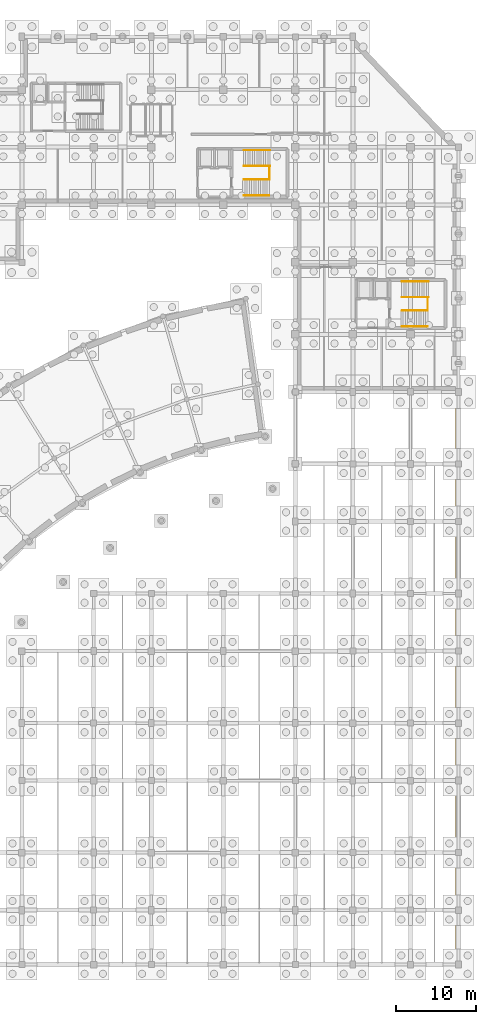
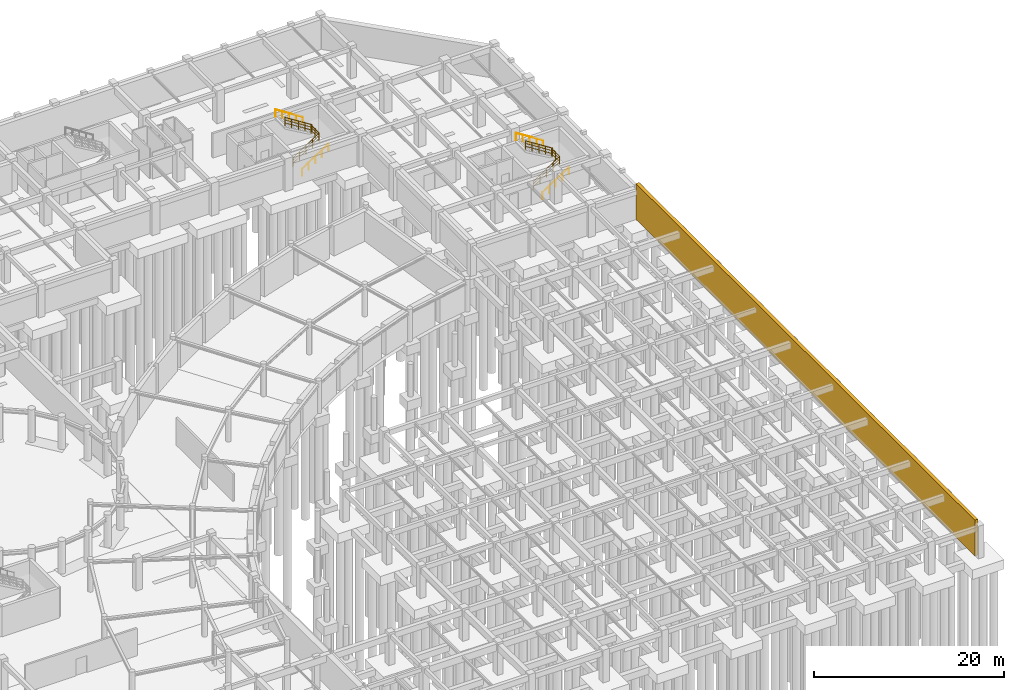
# One storey, part 41 of 42: 10 railings, 1 covering.
"""IFC4 building model written with IfcOpenShell, lengths in metres."""

import ifcopenshell
import ifcopenshell.guid

model = None  # the IFC model being written
_history = None  # IfcOwnerHistory: only IFC2X3 demands one
_inside = {}  # id of a spatial element -> (the spatial element, [elements in it])
_under = {}  # id of a project, library or spatial element -> (it, [spatial elements below it])
_declared = {}  # id of a project -> (the project, [libraries it declares])
_typed = {}  # id of a type object -> (the type object, [elements of that type])
_made_of = {}  # id of a material, layer set ... -> (it, [elements and type objects made of it])


def new_model(schema):
    """Start an empty IFC model of exactly this schema.

    Asked for "IFC4X3", IfcOpenShell would pick the latest addendum, in which some entities
    have other attributes; the version numbers below select the first issue.
    IFC2X3 requires an IfcOwnerHistory on every rooted entity: one is made here for all.
    """
    global model, _history
    if schema == "IFC4X3":
        model = ifcopenshell.file(schema_version=(4, 3, 0, 0))
    else:
        model = ifcopenshell.file(schema=schema)
    _inside.clear()
    _under.clear()
    _declared.clear()
    _typed.clear()
    _made_of.clear()
    _history = None
    if model.schema == "IFC2X3":
        org = make("IfcOrganization", Name="unknown")
        user = make(
            "IfcPersonAndOrganization",
            ThePerson=make("IfcPerson", FamilyName="unknown"),
            TheOrganization=org,
        )
        app = make(
            "IfcApplication",
            ApplicationDeveloper=org,
            Version="unknown",
            ApplicationFullName="unknown",
            ApplicationIdentifier="unknown",
        )
        _history = make(
            "IfcOwnerHistory",
            OwningUser=user,
            OwningApplication=app,
            ChangeAction="ADDED",
            CreationDate=0,
        )
    return model


def make(cls, **values):
    """One entity of the class cls with the attributes given. An attribute that is None is left unset."""
    return model.create_entity(
        cls, **{name: value for name, value in values.items() if value is not None}
    )


def rooted(cls, **values):
    """An entity with a GlobalId (a new one), such as an element, a storey or a relation."""
    return make(cls, GlobalId=ifcopenshell.guid.new(), OwnerHistory=_history, **values)


def si_unit(unit_type, name, prefix=None):
    """IfcSIUnit, for example si_unit("LENGTHUNIT", "METRE", prefix="MILLI")."""
    return make("IfcSIUnit", UnitType=unit_type, Prefix=prefix, Name=name)


def assignment(units):
    """IfcUnitAssignment: the units of a project."""
    return None if units is None else make("IfcUnitAssignment", Units=units)


def point(xyz):
    """IfcCartesianPoint."""
    return None if xyz is None else make("IfcCartesianPoint", Coordinates=xyz)


def direction(xyz):
    """IfcDirection."""
    return None if xyz is None else make("IfcDirection", DirectionRatios=xyz)


def frame(location, z_axis=None, x_axis=None):
    """IfcAxis2Placement3D, a coordinate frame: its origin and axes. An axis left out is left unset."""
    return make(
        "IfcAxis2Placement3D",
        Location=point(location),
        Axis=direction(z_axis),
        RefDirection=direction(x_axis),
    )


def frame_2d(location, x_axis=None):
    """IfcAxis2Placement2D, a coordinate frame in the plane: its origin and x axis."""
    return make(
        "IfcAxis2Placement2D", Location=point(location), RefDirection=direction(x_axis)
    )


def origin():
    """The frame at (0, 0, 0) with its axes left unset."""
    return frame((0.0, 0.0, 0.0))


def origin_2d():
    """The frame at (0, 0) in the plane with its x axis left unset."""
    return frame_2d((0.0, 0.0))


def place(relative_to, where):
    """IfcLocalPlacement: puts the frame where relative to a parent placement (None: the world)."""
    return make(
        "IfcLocalPlacement", PlacementRelTo=relative_to, RelativePlacement=where
    )


def context(
    kind, dimensions, precision=None, world=None, true_north=None, identifier=None
):
    """IfcGeometricRepresentationContext, for example the 3D "Model" context."""
    return make(
        "IfcGeometricRepresentationContext",
        ContextIdentifier=identifier,
        ContextType=kind,
        CoordinateSpaceDimension=dimensions,
        Precision=precision,
        WorldCoordinateSystem=world,
        TrueNorth=true_north,
    )


def subcontext(parent, identifier, kind, view, scale=None):
    """IfcGeometricRepresentationSubContext, for example "Body" below "Model"."""
    return make(
        "IfcGeometricRepresentationSubContext",
        ContextIdentifier=identifier,
        ContextType=kind,
        ParentContext=parent,
        TargetScale=scale,
        TargetView=view,
    )


def project(units=None, contexts=None):
    """IfcProject with its units and contexts."""
    return rooted(
        "IfcProject",
        Name="project",
        RepresentationContexts=contexts,
        UnitsInContext=assignment(units),
    )


def spatial(cls, under=None, at=None, **own):
    """A site, building, storey or space (cls), placed at a placement, below another one or the project."""
    s = rooted(cls, ObjectPlacement=at, **own)
    if under is not None:
        _under.setdefault(under.id(), (under, []))[1].append(s)
    return s


def profile(cls, at=None, kind="AREA", **sizes):
    """A parametric profile (cls). Its sizes go by their IFC names, for example OverallWidth=200.0."""
    return make(cls, ProfileType=kind, Position=at, **sizes)


def rectangle(**sizes):
    """IfcRectangleProfileDef."""
    return profile("IfcRectangleProfileDef", **sizes)


def circle(**sizes):
    """IfcCircleProfileDef."""
    return profile("IfcCircleProfileDef", **sizes)


def extrude(swept, where, along, depth):
    """IfcExtrudedAreaSolid: the profile swept, set in the frame where, extruded along a direction by depth."""
    return make(
        "IfcExtrudedAreaSolid",
        SweptArea=swept,
        Position=where,
        ExtrudedDirection=direction(along),
        Depth=depth,
    )


def shape(context_of_items, identifier, shape_type, items):
    """IfcShapeRepresentation: the items that make up one representation, for example the "Body"."""
    return make(
        "IfcShapeRepresentation",
        ContextOfItems=context_of_items,
        RepresentationIdentifier=identifier,
        RepresentationType=shape_type,
        Items=items,
    )


def material(Name=None, Category=None):
    """IfcMaterial."""
    return make("IfcMaterial", Name=Name, Category=Category)


def layer(
    of_material, thickness, ventilated=None, Name=None, Category=None, Priority=None
):
    """IfcMaterialLayer: one layer of a wall or slab, of a material (None: an air gap)."""
    return make(
        "IfcMaterialLayer",
        Material=of_material,
        LayerThickness=thickness,
        IsVentilated=ventilated,
        Name=Name,
        Category=Category,
        Priority=Priority,
    )


def layer_set(layers, Name=None):
    """IfcMaterialLayerSet."""
    return make("IfcMaterialLayerSet", MaterialLayers=layers, LayerSetName=Name)


def made_of(thing, what):
    """Note that an element or type object is made of a material, layer set ...; save() writes the relation."""
    if what is not None:
        _made_of.setdefault(what.id(), (what, []))[1].append(thing)
    return thing


def type_object(cls, material=None, **own):
    """A type object (cls), such as IfcWallType, which elements share."""
    return made_of(rooted(cls, **own), material)


def element(
    cls,
    number,
    at=None,
    inside=None,
    cuts=None,
    type_object=None,
    material=None,
    context=None,
    identifier="Body",
    shape_type=None,
    held_by="IfcProductDefinitionShape",
    body=None,
    shapes=None,
    **own,
):
    """One element of the class cls, such as IfcWall. Its Tag is "e" and its number.

    at: its placement. inside: the storey or other place that contains it. cuts: it is an
    opening in that element (IfcRelVoidsElement). A single representation is given by context,
    identifier, shape_type and body (its items); several are given by shapes. held_by: the class
    of the entity that holds the representations. save() writes the other relations.
    """
    e = rooted(cls, Tag="e%d" % number, ObjectPlacement=at, **own)
    if body is not None:
        shapes = [shape(context, identifier, shape_type, body)]
    if shapes is not None:
        e.Representation = make(held_by, Representations=shapes)
    if inside is not None:
        _inside.setdefault(inside.id(), (inside, []))[1].append(e)
    if cuts is not None:
        rooted(
            "IfcRelVoidsElement", RelatingBuildingElement=cuts, RelatedOpeningElement=e
        )
    if type_object is not None:
        _typed.setdefault(type_object.id(), (type_object, []))[1].append(e)
    return made_of(e, material)


def aggregate(whole, parts):
    """IfcRelAggregates: a whole, such as a stair, and the parts it consists of."""
    return rooted("IfcRelAggregates", RelatingObject=whole, RelatedObjects=parts)


def save(model, path):
    """Write the relations noted so far, then the file.

    IfcRelAggregates (storeys below a building ...), IfcRelContainedInSpatialStructure (elements
    in a storey), IfcRelDefinesByType, IfcRelAssociatesMaterial and IfcRelDeclares: one each for
    every whole, place, type object, material and project.
    """
    for whole, parts in _under.values():
        aggregate(whole, parts)
    for where, things in _inside.values():
        rooted(
            "IfcRelContainedInSpatialStructure",
            RelatedElements=things,
            RelatingStructure=where,
        )
    for kind, things in _typed.values():
        rooted("IfcRelDefinesByType", RelatedObjects=things, RelatingType=kind)
    for what, things in _made_of.values():
        rooted("IfcRelAssociatesMaterial", RelatedObjects=things, RelatingMaterial=what)
    for by, libraries in _declared.values():
        rooted("IfcRelDeclares", RelatingContext=by, RelatedDefinitions=libraries)
    model.write(path)


model = new_model("IFC4")

# Units and contexts
model_context = context("Model", 3, precision=1e-05, world=origin(), true_north=direction((0.0, 1.0)))
body_context = subcontext(model_context, "Body", "Model", "MODEL_VIEW")
ifc_project = project(units=[si_unit("LENGTHUNIT", "METRE"), si_unit("AREAUNIT", "SQUARE_METRE"), si_unit("VOLUMEUNIT", "CUBIC_METRE"), si_unit("PLANEANGLEUNIT", "RADIAN"), si_unit("MASSUNIT", "GRAM", prefix="KILO")], contexts=[model_context])

# Site, building, storey
site_placement = place(None, origin())
site = spatial("IfcSite", under=ifc_project, at=site_placement, CompositionType="ELEMENT")
building_placement = place(site_placement, origin())
building = spatial("IfcBuilding", under=site, at=building_placement, Name="Clarverna Civic Hall", CompositionType="ELEMENT")
storey_placement = place(building_placement, frame((0.0, 0.0, -4.199951171875)))
storey = spatial("IfcBuildingStorey", under=building, at=storey_placement, Name="B01", CompositionType="ELEMENT", Elevation=-4.199951171875)

# Covering
ifc_material_1 = material(Name="Montjuic Buff Limestone Ashlar Cladding", Category="masonry")
ifc_layer = layer(ifc_material_1, 0.070068359375)
ifc_layer_set = layer_set([ifc_layer], Name="Montjuic Buff Limestone Ashlar Cladding")
covering_type = type_object("IfcCoveringType", Name="CV-CL2", PredefinedType="CLADDING", material=ifc_layer_set)
covering_placement = place(storey_placement, frame((167.800048828125, 0.199951171875, 0.0), z_axis=(0.0, 0.0, 1.0), x_axis=(0.0, 1.0, 0.0)))
element("IfcCovering", 1, at=covering_placement, inside=storey, type_object=covering_type, Name="CV-CL2-907", PredefinedType="CLADDING", context=body_context, shape_type="SweptSolid", body=[
    extrude(rectangle(XDim=71.449951171875, YDim=0.39990234375, at=frame_2d((35.72509765625, 0.0))), origin(), (0.0, 0.0, 1.0), 4.619873046875),
])

# Railings
ifc_material_2 = material(Name="Anodised Bronze Architectural Balustrade")
railing_type_1 = type_object("IfcRailingType", Name="GR-02", PredefinedType="BALUSTRADE", material=ifc_material_2)
railing_1_placement = place(storey_placement, frame((141.14990234375, 98.159912109375, 0.0)))
element("IfcRailing", 2, at=railing_1_placement, inside=storey, type_object=railing_type_1, Name="GR-02-004", PredefinedType="BALUSTRADE", context=body_context, shape_type="SweptSolid", body=[
    extrude(circle(Radius=0.02392578125, at=origin_2d()), frame((0.0, 0.0, 1.09619140625), z_axis=(0.836464151043, 0.0, 0.548021645576), x_axis=(0.0, 1.0, 0.0)), (0.0, 0.0, 1.0), 3.831787109375),
    extrude(circle(Radius=0.011962890625, at=origin_2d()), frame((0.0, 0.0, 0.39208984375), z_axis=(0.836464151043, 0.0, 0.548021645576), x_axis=(0.0, 1.0, 0.0)), (0.0, 0.0, 1.0), 3.831787109375),
    extrude(circle(Radius=0.011962890625, at=origin_2d()), frame((0.0, 0.0, 0.76171875), z_axis=(0.836464151043, 0.0, 0.548021645576), x_axis=(0.0, 1.0, 0.0)), (0.0, 0.0, 1.0), 3.831787109375),
    extrude(circle(Radius=0.02099609375, at=origin_2d()), origin(), (0.0, 0.0, 1.0), 1.072021484375),
    extrude(circle(Radius=0.02099609375, at=origin_2d()), frame((0.80126953125, 0.0, 0.52490234375)), (0.0, 0.0, 1.0), 1.072021484375),
    extrude(circle(Radius=0.02099609375, at=origin_2d()), frame((1.6025390625, 0.0, 1.0498046875)), (0.0, 0.0, 1.0), 1.072021484375),
    extrude(circle(Radius=0.02099609375, at=origin_2d()), frame((2.40380859375, 0.0, 1.574951171875)), (0.0, 0.0, 1.0), 1.072021484375),
    extrude(circle(Radius=0.02099609375, at=origin_2d()), frame((3.205078125, 0.0, 2.099853515625)), (0.0, 0.0, 1.0), 1.072021484375),
])
railing_2_placement = place(storey_placement, frame((144.35498046875, 98.159912109375, 2.099853515625)))
element("IfcRailing", 3, at=railing_2_placement, inside=storey, type_object=railing_type_1, Name="GR-02-005", PredefinedType="BALUSTRADE", context=body_context, shape_type="SweptSolid", body=[
    extrude(circle(Radius=0.02392578125, at=origin_2d()), frame((0.0, 0.0, 1.09619140625), z_axis=(0.0, 1.0, 0.0), x_axis=(-1.0, 0.0, 0.0)), (0.0, 0.0, 1.0), 1.68017578125),
    extrude(circle(Radius=0.011962890625, at=origin_2d()), frame((0.0, 0.0, 0.39208984375), z_axis=(0.0, 1.0, 0.0), x_axis=(-1.0, 0.0, 0.0)), (0.0, 0.0, 1.0), 1.68017578125),
    extrude(circle(Radius=0.011962890625, at=origin_2d()), frame((0.0, 0.0, 0.76171875), z_axis=(0.0, 1.0, 0.0), x_axis=(-1.0, 0.0, 0.0)), (0.0, 0.0, 1.0), 1.68017578125),
    extrude(circle(Radius=0.02099609375, at=origin_2d()), origin(), (0.0, 0.0, 1.0), 1.072021484375),
    extrude(circle(Radius=0.02099609375, at=origin_2d()), frame((0.0, 0.840087890625, 0.0)), (0.0, 0.0, 1.0), 1.072021484375),
    extrude(circle(Radius=0.02099609375, at=origin_2d()), frame((0.0, 1.68017578125, 0.0)), (0.0, 0.0, 1.0), 1.072021484375),
])
railing_3_placement = place(storey_placement, frame((144.445068359375, 99.840087890625, 2.099853515625)))
element("IfcRailing", 4, at=railing_3_placement, inside=storey, type_object=railing_type_1, Name="GR-02-006", PredefinedType="BALUSTRADE", context=body_context, shape_type="SweptSolid", body=[
    extrude(circle(Radius=0.02392578125, at=origin_2d()), frame((0.0, 0.0, 1.09619140625), z_axis=(-0.843293392346, 0.0, 0.537453490477), x_axis=(0.0, -1.0, 0.0)), (0.0, 0.0, 1.0), 3.907470703125),
    extrude(circle(Radius=0.011962890625, at=origin_2d()), frame((0.0, 0.0, 0.39208984375), z_axis=(-0.843293392346, 0.0, 0.537453490477), x_axis=(0.0, -1.0, 0.0)), (0.0, 0.0, 1.0), 3.907470703125),
    extrude(circle(Radius=0.011962890625, at=origin_2d()), frame((0.0, 0.0, 0.76171875), z_axis=(-0.843293392346, 0.0, 0.537453490477), x_axis=(0.0, -1.0, 0.0)), (0.0, 0.0, 1.0), 3.907470703125),
    extrude(circle(Radius=0.02099609375, at=origin_2d()), origin(), (0.0, 0.0, 1.0), 1.072021484375),
    extrude(circle(Radius=0.02099609375, at=origin_2d()), frame((-0.82373046875, 0.0, 0.52490234375)), (0.0, 0.0, 1.0), 1.072021484375),
    extrude(circle(Radius=0.02099609375, at=origin_2d()), frame((-1.6474609375, 0.0, 1.050048828125)), (0.0, 0.0, 1.0), 1.072021484375),
    extrude(circle(Radius=0.02099609375, at=origin_2d()), frame((-2.471435546875, 0.0, 1.5751953125)), (0.0, 0.0, 1.0), 1.072021484375),
    extrude(circle(Radius=0.02099609375, at=origin_2d()), frame((-3.295166015625, 0.0, 2.10009765625)), (0.0, 0.0, 1.0), 1.072021484375),
])
railing_4_placement = place(storey_placement, frame((160.949951171875, 81.760009765625, 0.0)))
element("IfcRailing", 5, at=railing_4_placement, inside=storey, type_object=railing_type_1, Name="GR-02-036", PredefinedType="BALUSTRADE", context=body_context, shape_type="SweptSolid", body=[
    extrude(circle(Radius=0.02392578125, at=origin_2d()), frame((0.0, 0.0, 1.09619140625), z_axis=(0.836464151043, 0.0, 0.548021645576), x_axis=(0.0, 1.0, 0.0)), (0.0, 0.0, 1.0), 3.831787109375),
    extrude(circle(Radius=0.011962890625, at=origin_2d()), frame((0.0, 0.0, 0.39208984375), z_axis=(0.836464151043, 0.0, 0.548021645576), x_axis=(0.0, 1.0, 0.0)), (0.0, 0.0, 1.0), 3.831787109375),
    extrude(circle(Radius=0.011962890625, at=origin_2d()), frame((0.0, 0.0, 0.76171875), z_axis=(0.836464151043, 0.0, 0.548021645576), x_axis=(0.0, 1.0, 0.0)), (0.0, 0.0, 1.0), 3.831787109375),
    extrude(circle(Radius=0.02099609375, at=origin_2d()), origin(), (0.0, 0.0, 1.0), 1.072021484375),
    extrude(circle(Radius=0.02099609375, at=origin_2d()), frame((0.80126953125, 0.0, 0.52490234375)), (0.0, 0.0, 1.0), 1.072021484375),
    extrude(circle(Radius=0.02099609375, at=origin_2d()), frame((1.6025390625, 0.0, 1.0498046875)), (0.0, 0.0, 1.0), 1.072021484375),
    extrude(circle(Radius=0.02099609375, at=origin_2d()), frame((2.40380859375, 0.0, 1.574951171875)), (0.0, 0.0, 1.0), 1.072021484375),
    extrude(circle(Radius=0.02099609375, at=origin_2d()), frame((3.205078125, 0.0, 2.099853515625)), (0.0, 0.0, 1.0), 1.072021484375),
])
railing_5_placement = place(storey_placement, frame((164.155029296875, 81.760009765625, 2.099853515625)))
element("IfcRailing", 6, at=railing_5_placement, inside=storey, type_object=railing_type_1, Name="GR-02-037", PredefinedType="BALUSTRADE", context=body_context, shape_type="SweptSolid", body=[
    extrude(circle(Radius=0.02392578125, at=origin_2d()), frame((0.0, 0.0, 1.09619140625), z_axis=(0.0, 1.0, 0.0), x_axis=(-1.0, 0.0, 0.0)), (0.0, 0.0, 1.0), 1.679931640625),
    extrude(circle(Radius=0.011962890625, at=origin_2d()), frame((0.0, 0.0, 0.39208984375), z_axis=(0.0, 1.0, 0.0), x_axis=(-1.0, 0.0, 0.0)), (0.0, 0.0, 1.0), 1.679931640625),
    extrude(circle(Radius=0.011962890625, at=origin_2d()), frame((0.0, 0.0, 0.76171875), z_axis=(0.0, 1.0, 0.0), x_axis=(-1.0, 0.0, 0.0)), (0.0, 0.0, 1.0), 1.679931640625),
    extrude(circle(Radius=0.02099609375, at=origin_2d()), origin(), (0.0, 0.0, 1.0), 1.072021484375),
    extrude(circle(Radius=0.02099609375, at=origin_2d()), frame((0.0, 0.83984375, 0.0)), (0.0, 0.0, 1.0), 1.072021484375),
    extrude(circle(Radius=0.02099609375, at=origin_2d()), frame((0.0, 1.679931640625, 0.0)), (0.0, 0.0, 1.0), 1.072021484375),
])
railing_6_placement = place(storey_placement, frame((164.2451171875, 83.43994140625, 2.099853515625)))
element("IfcRailing", 7, at=railing_6_placement, inside=storey, type_object=railing_type_1, Name="GR-02-038", PredefinedType="BALUSTRADE", context=body_context, shape_type="SweptSolid", body=[
    extrude(circle(Radius=0.02392578125, at=origin_2d()), frame((0.0, 0.0, 1.09619140625), z_axis=(-0.843293392346, 0.0, 0.537453490477), x_axis=(0.0, -1.0, 0.0)), (0.0, 0.0, 1.0), 3.907470703125),
    extrude(circle(Radius=0.011962890625, at=origin_2d()), frame((0.0, 0.0, 0.39208984375), z_axis=(-0.843293392346, 0.0, 0.537453490477), x_axis=(0.0, -1.0, 0.0)), (0.0, 0.0, 1.0), 3.907470703125),
    extrude(circle(Radius=0.011962890625, at=origin_2d()), frame((0.0, 0.0, 0.76171875), z_axis=(-0.843293392346, 0.0, 0.537453490477), x_axis=(0.0, -1.0, 0.0)), (0.0, 0.0, 1.0), 3.907470703125),
    extrude(circle(Radius=0.02099609375, at=origin_2d()), origin(), (0.0, 0.0, 1.0), 1.072021484375),
    extrude(circle(Radius=0.02099609375, at=origin_2d()), frame((-0.82373046875, 0.0, 0.52490234375)), (0.0, 0.0, 1.0), 1.072021484375),
    extrude(circle(Radius=0.02099609375, at=origin_2d()), frame((-1.6474609375, 0.0, 1.050048828125)), (0.0, 0.0, 1.0), 1.072021484375),
    extrude(circle(Radius=0.02099609375, at=origin_2d()), frame((-2.471435546875, 0.0, 1.5751953125)), (0.0, 0.0, 1.0), 1.072021484375),
    extrude(circle(Radius=0.02099609375, at=origin_2d()), frame((-3.295166015625, 0.0, 2.10009765625)), (0.0, 0.0, 1.0), 1.072021484375),
])
ifc_material_3 = material(Name="Anodised Bronze Continuous Handrail")
railing_type_2 = type_object("IfcRailingType", Name="HR-01", PredefinedType="HANDRAIL", material=ifc_material_3)
railing_7_placement = place(storey_placement, frame((141.14990234375, 96.179931640625, 0.0)))
element("IfcRailing", 8, at=railing_7_placement, inside=storey, type_object=railing_type_2, Name="HR-01-001", PredefinedType="HANDRAIL", context=body_context, shape_type="SweptSolid", body=[
    extrude(circle(Radius=0.02392578125, at=origin_2d()), frame((0.0, 0.0, 0.89599609375), z_axis=(0.835291159344, 0.0, 0.549807856548), x_axis=(0.0, 1.0, 0.0)), (0.0, 0.0, 1.0), 3.8193359375),
    extrude(circle(Radius=0.02099609375, at=origin_2d()), origin(), (0.0, 0.0, 1.0), 0.871826171875),
    extrude(circle(Radius=0.02099609375, at=origin_2d()), frame((0.797607421875, 0.0, 0.52490234375)), (0.0, 0.0, 1.0), 0.871826171875),
    extrude(circle(Radius=0.02099609375, at=origin_2d()), frame((1.59521484375, 0.0, 1.0498046875)), (0.0, 0.0, 1.0), 0.871826171875),
    extrude(circle(Radius=0.02099609375, at=origin_2d()), frame((2.392578125, 0.0, 1.574951171875)), (0.0, 0.0, 1.0), 0.871826171875),
    extrude(circle(Radius=0.02099609375, at=origin_2d()), frame((3.190185546875, 0.0, 2.099853515625)), (0.0, 0.0, 1.0), 0.871826171875),
])
railing_8_placement = place(storey_placement, frame((144.4599609375, 101.820068359375, 2.099853515625)))
element("IfcRailing", 9, at=railing_8_placement, inside=storey, type_object=railing_type_2, Name="HR-01-002", PredefinedType="HANDRAIL", context=body_context, shape_type="SweptSolid", body=[
    extrude(circle(Radius=0.02392578125, at=origin_2d()), frame((0.0, 0.0, 0.89599609375), z_axis=(-0.844389018317, 0.0, 0.535730515973), x_axis=(0.0, -1.0, 0.0)), (0.0, 0.0, 1.0), 3.920166015625),
    extrude(circle(Radius=0.02099609375, at=origin_2d()), origin(), (0.0, 0.0, 1.0), 0.871826171875),
    extrude(circle(Radius=0.02099609375, at=origin_2d()), frame((-0.82763671875, 0.0, 0.52490234375)), (0.0, 0.0, 1.0), 0.871826171875),
    extrude(circle(Radius=0.02099609375, at=origin_2d()), frame((-1.655029296875, 0.0, 1.050048828125)), (0.0, 0.0, 1.0), 0.871826171875),
    extrude(circle(Radius=0.02099609375, at=origin_2d()), frame((-2.482421875, 0.0, 1.5751953125)), (0.0, 0.0, 1.0), 0.871826171875),
    extrude(circle(Radius=0.02099609375, at=origin_2d()), frame((-3.31005859375, 0.0, 2.10009765625)), (0.0, 0.0, 1.0), 0.871826171875),
])
railing_9_placement = place(storey_placement, frame((160.949951171875, 79.780029296875, 0.0)))
element("IfcRailing", 10, at=railing_9_placement, inside=storey, type_object=railing_type_2, Name="HR-01-017", PredefinedType="HANDRAIL", context=body_context, shape_type="SweptSolid", body=[
    extrude(circle(Radius=0.02392578125, at=origin_2d()), frame((0.0, 0.0, 0.89599609375), z_axis=(0.835271834381, 0.0, 0.549837214719), x_axis=(0.0, 1.0, 0.0)), (0.0, 0.0, 1.0), 3.819091796875),
    extrude(circle(Radius=0.02099609375, at=origin_2d()), origin(), (0.0, 0.0, 1.0), 0.871826171875),
    extrude(circle(Radius=0.02099609375, at=origin_2d()), frame((0.79736328125, 0.0, 0.52490234375)), (0.0, 0.0, 1.0), 0.871826171875),
    extrude(circle(Radius=0.02099609375, at=origin_2d()), frame((1.594970703125, 0.0, 1.0498046875)), (0.0, 0.0, 1.0), 0.871826171875),
    extrude(circle(Radius=0.02099609375, at=origin_2d()), frame((2.392578125, 0.0, 1.574951171875)), (0.0, 0.0, 1.0), 0.871826171875),
    extrude(circle(Radius=0.02099609375, at=origin_2d()), frame((3.18994140625, 0.0, 2.099853515625)), (0.0, 0.0, 1.0), 0.871826171875),
])
railing_10_placement = place(storey_placement, frame((164.260009765625, 85.419921875, 2.099853515625)))
element("IfcRailing", 11, at=railing_10_placement, inside=storey, type_object=railing_type_2, Name="HR-01-018", PredefinedType="HANDRAIL", context=body_context, shape_type="SweptSolid", body=[
    extrude(circle(Radius=0.02392578125, at=origin_2d()), frame((0.0, 0.0, 0.89599609375), z_axis=(-0.844389018317, 0.0, 0.535730515973), x_axis=(0.0, -1.0, 0.0)), (0.0, 0.0, 1.0), 3.920166015625),
    extrude(circle(Radius=0.02099609375, at=origin_2d()), origin(), (0.0, 0.0, 1.0), 0.871826171875),
    extrude(circle(Radius=0.02099609375, at=origin_2d()), frame((-0.82763671875, 0.0, 0.52490234375)), (0.0, 0.0, 1.0), 0.871826171875),
    extrude(circle(Radius=0.02099609375, at=origin_2d()), frame((-1.655029296875, 0.0, 1.050048828125)), (0.0, 0.0, 1.0), 0.871826171875),
    extrude(circle(Radius=0.02099609375, at=origin_2d()), frame((-2.482421875, 0.0, 1.5751953125)), (0.0, 0.0, 1.0), 0.871826171875),
    extrude(circle(Radius=0.02099609375, at=origin_2d()), frame((-3.31005859375, 0.0, 2.10009765625)), (0.0, 0.0, 1.0), 0.871826171875),
])

save(model, "model.ifc")
